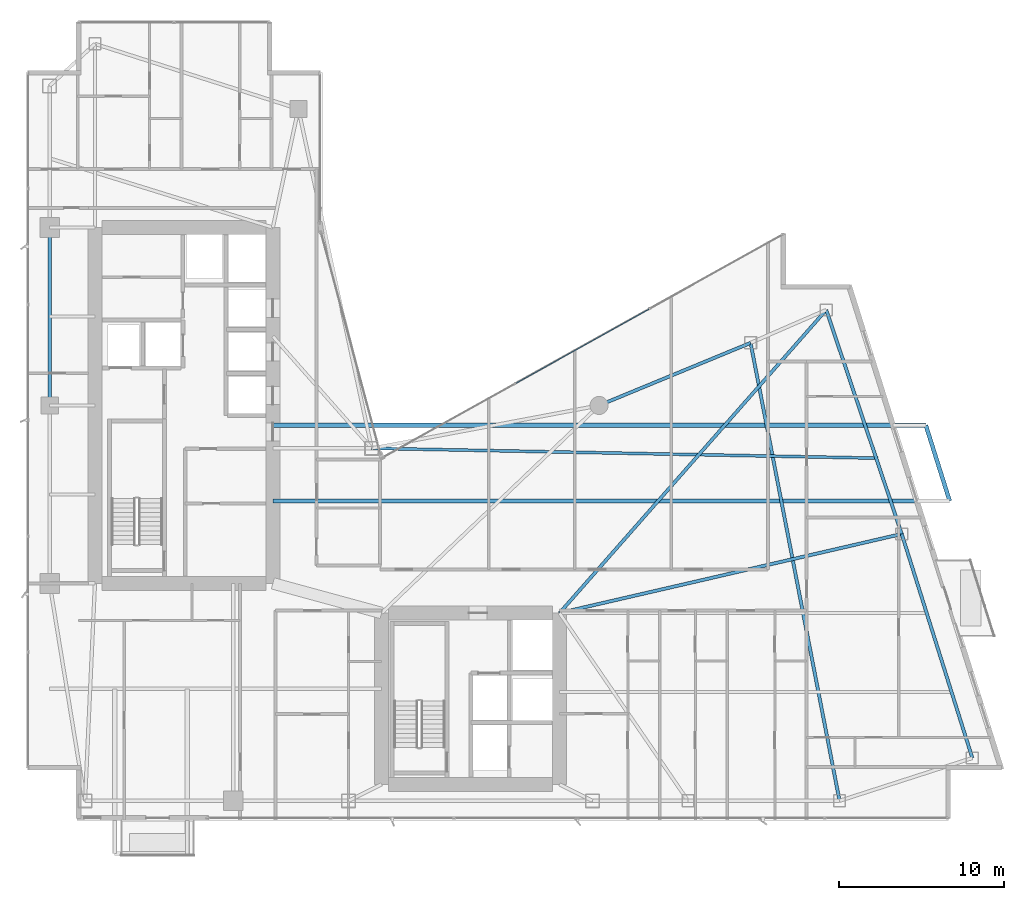
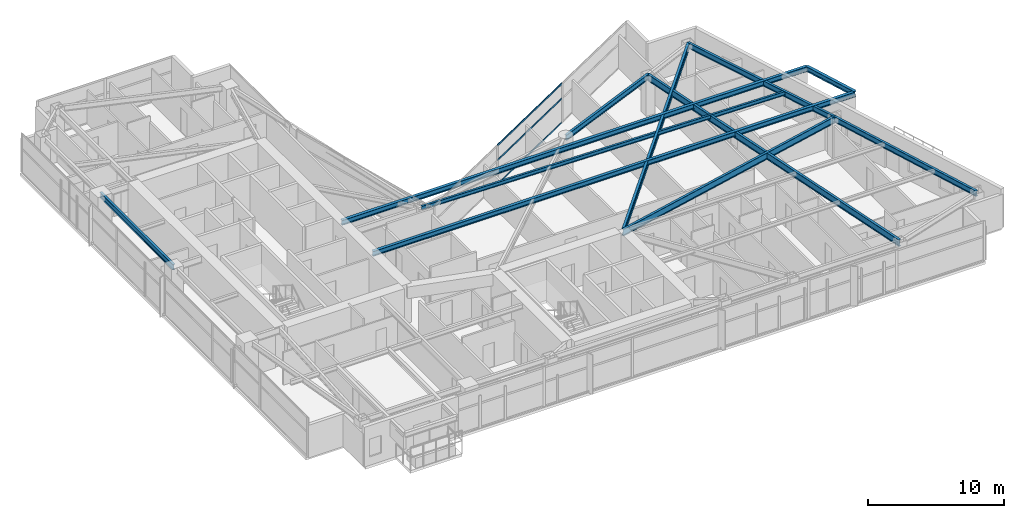
# One storey, part 15 of 28: 11 beams, 3 members, 1 element without a shape of its own.
"""IFC4 building model written with IfcOpenShell, lengths in metres."""

from ifc_helpers import new_model, si_unit, direction, frame, origin, origin_2d, place, context, subcontext, project, spatial, hollow_rectangle, i_section, extrude, material, layer, layer_set, material_profile, profile_set, type_object, element, aggregate, save


model = new_model("IFC4")

# Units and contexts
model_context = context("Model", 3, precision=1e-05, world=origin(), true_north=direction((0.0, 1.0)))
body_context = subcontext(model_context, "Body", "Model", "MODEL_VIEW")
ifc_project = project(units=[si_unit("LENGTHUNIT", "METRE"), si_unit("AREAUNIT", "SQUARE_METRE"), si_unit("VOLUMEUNIT", "CUBIC_METRE"), si_unit("PLANEANGLEUNIT", "RADIAN"), si_unit("MASSUNIT", "GRAM", prefix="KILO")], contexts=[model_context])

# Site, building, storey
site_placement = place(None, origin())
site = spatial("IfcSite", under=ifc_project, at=site_placement, CompositionType="ELEMENT")
building_placement = place(site_placement, origin())
building = spatial("IfcBuilding", under=site, at=building_placement, Name="Calvorn Quay Hotel", CompositionType="ELEMENT")
storey_placement = place(building_placement, frame((0.0, 0.0, 178.89990234375)))
storey = spatial("IfcBuildingStorey", under=building, at=storey_placement, Name="L44", CompositionType="ELEMENT", Elevation=178.89990234375)

# Beams
ifc_material_1 = material(Name="Steel Q355B", Category="steel")
ifc_material_profile_1 = material_profile(ifc_material_1, i_section(OverallWidth=0.25, OverallDepth=0.449951171875, WebThickness=0.011962890625, FlangeThickness=0.01611328125, FilletRadius=0.01611328125, at=origin_2d()), Name="HN450x250x12x16")
ifc_profile_set_1 = profile_set([ifc_material_profile_1], Name="Steel Q355B")
beam_type_1 = type_object("IfcBeamType", Name="BM-CANT-BALC", PredefinedType="BEAM", material=ifc_profile_set_1)
beam_1_placement = place(storey_placement, frame((15.0, 21.800048828125, 3.315185546875), z_axis=(1.0, 0.0, 0.0), x_axis=(0.0, 1.0, 0.0)))
element("IfcBeam", 1, at=beam_1_placement, inside=storey, type_object=beam_type_1, Name="Cantilever Balcony Beam BCB-L45-1A", PredefinedType="BEAM", context=body_context, shape_type="SweptSolid", body=[
    extrude(i_section(OverallWidth=0.25, OverallDepth=0.449951171875, WebThickness=0.011962890625, FlangeThickness=0.01611328125, FilletRadius=0.01611328125, at=origin_2d()), origin(), (0.0, 0.0, 1.0), 41.0859375),
])
beam_2_placement = place(storey_placement, frame((15.0, 26.39990234375, 3.315185546875), z_axis=(1.0, 0.0, 0.0), x_axis=(0.0, 1.0, 0.0)))
element("IfcBeam", 2, at=beam_2_placement, inside=storey, type_object=beam_type_1, Name="Cantilever Balcony Beam BCB-L45-1B", PredefinedType="BEAM", context=body_context, shape_type="SweptSolid", body=[
    extrude(i_section(OverallWidth=0.25, OverallDepth=0.449951171875, WebThickness=0.011962890625, FlangeThickness=0.01611328125, FilletRadius=0.01611328125, at=origin_2d()), origin(), (0.0, 0.0, 1.0), 39.636962890625),
])
beam_3_placement = place(storey_placement, frame((56.0859375, 21.800048828125, 3.315185546875), z_axis=(-0.300450487966, 0.953797412599, 0.0), x_axis=(-0.953797412599, -0.300450487966, 0.0)))
element("IfcBeam", 3, at=beam_3_placement, inside=storey, type_object=beam_type_1, Name="Beam BCBO-L45-1", PredefinedType="BEAM", context=body_context, shape_type="SweptSolid", body=[
    extrude(i_section(OverallWidth=0.25, OverallDepth=0.449951171875, WebThickness=0.011962890625, FlangeThickness=0.01611328125, FilletRadius=0.01611328125, at=origin_2d()), origin(), (0.0, 0.0, 1.0), 4.82275390625),
])
ifc_material_2 = material(Name="Steel Q355B", Category="steel")
ifc_material_profile_2 = material_profile(ifc_material_2, i_section(OverallWidth=0.199951171875, OverallDepth=0.60009765625, WebThickness=0.010986328125, FlangeThickness=0.01708984375, FilletRadius=0.01806640625, at=origin_2d()), Name="HN600x200x11x17")
ifc_profile_set_2 = profile_set([ifc_material_profile_2], Name="Steel Q355B")
beam_type_2 = type_object("IfcBeamType", Name="BM-GIRD-TYP", PredefinedType="BEAM", material=ifc_profile_set_2)
beam_4_placement = place(storey_placement, frame((32.39990234375, 15.0, 3.239990234375), z_axis=(0.974334045812, 0.225107012711, 0.0), x_axis=(-0.225107012711, 0.974334045812, 0.0)))
element("IfcBeam", 4, at=beam_4_placement, inside=storey, type_object=beam_type_2, Name="Beam BG-L44-E2", PredefinedType="BEAM", context=body_context, shape_type="SweptSolid", body=[
    extrude(i_section(OverallWidth=0.199951171875, OverallDepth=0.60009765625, WebThickness=0.010986328125, FlangeThickness=0.01708984375, FilletRadius=0.01806640625, at=origin_2d()), origin(), (0.0, 0.0, 1.0), 21.323486328125),
])
beam_5_placement = place(storey_placement, frame((32.39990234375, 15.0, 3.239990234375), z_axis=(0.660610604248, 0.750728732336, 0.0), x_axis=(-0.750728732336, 0.660610604248, 0.0)))
element("IfcBeam", 5, at=beam_5_placement, inside=storey, type_object=beam_type_2, Name="Beam BG-L44-E3", PredefinedType="BEAM", context=body_context, shape_type="SweptSolid", body=[
    extrude(i_section(OverallWidth=0.199951171875, OverallDepth=0.60009765625, WebThickness=0.010986328125, FlangeThickness=0.01708984375, FilletRadius=0.01806640625, at=origin_2d()), origin(), (0.0, 0.0, 1.0), 24.50927734375),
])
beam_6_placement = place(storey_placement, frame((49.39990234375, 3.60009765625, 3.239990234375), z_axis=(-0.190678596862, 0.981652521363, 0.0), x_axis=(-0.981652521363, -0.190678596862, 0.0)))
element("IfcBeam", 6, at=beam_6_placement, inside=storey, type_object=beam_type_2, Name="Beam BG-L44-E5", PredefinedType="BEAM", context=body_context, shape_type="SweptSolid", body=[
    extrude(i_section(OverallWidth=0.199951171875, OverallDepth=0.60009765625, WebThickness=0.010986328125, FlangeThickness=0.01708984375, FilletRadius=0.01806640625, at=origin_2d()), origin(), (0.0, 0.0, 1.0), 28.3193359375),
])
ifc_material_3 = material(Name="Steel Q355B", Category="steel")
ifc_material_profile_3 = material_profile(ifc_material_3, i_section(OverallWidth=0.175048828125, OverallDepth=0.35009765625, WebThickness=0.007080078125, FlangeThickness=0.010986328125, FilletRadius=0.013916015625, at=origin_2d()), Name="HN350x175x7x11")
ifc_profile_set_3 = profile_set([ifc_material_profile_3], Name="Steel Q355B")
beam_type_3 = type_object("IfcBeamType", Name="BM-JOIST-SEC", PredefinedType="JOIST", material=ifc_profile_set_3)
beam_7_placement = place(storey_placement, frame((21.0, 25.0, 3.364990234375), z_axis=(0.999809345134, -0.019526222968, 0.0), x_axis=(0.019526222968, 0.999809345134, 0.0)))
element("IfcBeam", 7, at=beam_7_placement, inside=storey, type_object=beam_type_3, Name="Beam BJ-L44-E3", PredefinedType="JOIST", context=body_context, shape_type="SweptSolid", body=[
    extrude(i_section(OverallWidth=0.175048828125, OverallDepth=0.35009765625, WebThickness=0.007080078125, FlangeThickness=0.010986328125, FilletRadius=0.013916015625, at=origin_2d()), origin(), (0.0, 0.0, 1.0), 30.73291015625),
])
ifc_material_4 = material(Name="Steel Q355B", Category="steel")
ifc_material_profile_4 = material_profile(ifc_material_4, i_section(OverallWidth=0.199951171875, OverallDepth=0.5, WebThickness=0.010009765625, FlangeThickness=0.01611328125, FilletRadius=0.01611328125, at=origin_2d()), Name="HN500x200x10x16")
ifc_profile_set_4 = profile_set([ifc_material_profile_4], Name="Steel Q355B")
beam_type_4 = type_object("IfcBeamType", Name="BM-SPANDREL-Z1", PredefinedType="SPANDREL", material=ifc_profile_set_4)
beam_8_placement = place(storey_placement, frame((1.449951171875, 27.60009765625, 3.2900390625), z_axis=(0.0, 1.0, 0.0), x_axis=(-1.0, 0.0, 0.0)))
element("IfcBeam", 8, at=beam_8_placement, inside=storey, type_object=beam_type_4, Name="Beam BSP-L44-W3", PredefinedType="SPANDREL", context=body_context, shape_type="SweptSolid", body=[
    extrude(i_section(OverallWidth=0.199951171875, OverallDepth=0.5, WebThickness=0.010009765625, FlangeThickness=0.01611328125, FilletRadius=0.01611328125, at=origin_2d()), origin(), (0.0, 0.0, 1.0), 10.7998046875),
])
beam_9_placement = place(storey_placement, frame((57.4609375, 6.199951171875, 3.2900390625), z_axis=(-0.300502802767, 0.953780931624, 0.0), x_axis=(-0.953780931624, -0.300502802767, 0.0)))
element("IfcBeam", 9, at=beam_9_placement, inside=storey, type_object=beam_type_4, Name="Beam BSP-L44-E1", PredefinedType="SPANDREL", context=body_context, shape_type="SweptSolid", body=[
    extrude(i_section(OverallWidth=0.199951171875, OverallDepth=0.5, WebThickness=0.010009765625, FlangeThickness=0.01611328125, FilletRadius=0.01611328125, at=origin_2d()), origin(), (0.0, 0.0, 1.0), 14.259033203125),
])
beam_10_placement = place(storey_placement, frame((53.176025390625, 19.800048828125, 3.2900390625), z_axis=(-0.319466515944, 0.947597564998, 0.0), x_axis=(-0.947597564998, -0.319466515944, 0.0)))
element("IfcBeam", 10, at=beam_10_placement, inside=storey, type_object=beam_type_4, Name="Beam BSP-L44-E2", PredefinedType="SPANDREL", context=body_context, shape_type="SweptSolid", body=[
    extrude(i_section(OverallWidth=0.199951171875, OverallDepth=0.5, WebThickness=0.010009765625, FlangeThickness=0.01611328125, FilletRadius=0.01611328125, at=origin_2d()), origin(), (0.0, 0.0, 1.0), 14.35205078125),
])
beam_11_placement = place(storey_placement, frame((44.0, 31.39990234375, 3.2900390625), z_axis=(-0.92426763497, -0.381745123017, 0.0), x_axis=(0.381745123017, -0.92426763497, 0.0)))
element("IfcBeam", 11, at=beam_11_placement, inside=storey, type_object=beam_type_4, Name="Beam BSP-L44-E4", PredefinedType="SPANDREL", context=body_context, shape_type="SweptSolid", body=[
    extrude(i_section(OverallWidth=0.199951171875, OverallDepth=0.5, WebThickness=0.010009765625, FlangeThickness=0.01611328125, FilletRadius=0.01611328125, at=origin_2d()), origin(), (0.0, 0.0, 1.0), 9.953857421875),
])

# Curtain wall, members
ifc_material_5 = material(Name="Pale Anodised Aluminium and Low-E Glass", Category="aluminium")
ifc_layer = layer(ifc_material_5, 0.219970703125)
ifc_layer_set = layer_set([ifc_layer], Name="CW-SYS-Z2")
curtain_wall_type = type_object("IfcCurtainWallType", Name="CW-SYS-Z2", PredefinedType="NOTDEFINED", material=ifc_layer_set)
curtain_wall_placement = place(storey_placement, origin())
curtain_wall = element("IfcCurtainWall", 12, at=curtain_wall_placement, inside=storey, type_object=curtain_wall_type, Name="Inner Court Curtain Wall L44-NE1", PredefinedType="NOTDEFINED")
ifc_material_6 = material(Name="Pale Anodised Aluminium 6063-T6", Category="aluminium")
ifc_material_profile_5 = material_profile(ifc_material_6, hollow_rectangle(XDim=0.06005859375, YDim=0.14990234375, WallThickness=0.00341796875, at=origin_2d()), Name="ALU-T150x60x3.5")
ifc_profile_set_5 = profile_set([ifc_material_profile_5], Name="Pale Anodised Aluminium 6063-T6")
member_type = type_object("IfcMemberType", Name="CW-SYS-Z2-TRN", PredefinedType="USERDEFINED", material=ifc_profile_set_5)
member_1_placement = place(storey_placement, frame((37.840576171875, 33.4521484375, 0.030029296875), z_axis=(-0.873483012802, -0.486854625474, 0.0), x_axis=(0.486854625474, -0.873483012802, 0.0)))
member_1 = element("IfcMember", 13, at=member_1_placement, type_object=member_type, Name="CW-L44-NE1 transom 2.1", ObjectType="TRANSOM", PredefinedType="USERDEFINED", context=body_context, shape_type="SweptSolid", body=[
    extrude(hollow_rectangle(XDim=0.06005859375, YDim=0.14990234375, WallThickness=0.00341796875, at=origin_2d()), origin(), (0.0, 0.0, 1.0), 9.25146484375),
])
member_2_placement = place(storey_placement, frame((37.840576171875, 33.4521484375, 2.2001953125), z_axis=(-0.873483012802, -0.486854625474, 0.0), x_axis=(0.486854625474, -0.873483012802, 0.0)))
member_2 = element("IfcMember", 14, at=member_2_placement, type_object=member_type, Name="CW-L44-NE1 transom 2.2", ObjectType="TRANSOM", PredefinedType="USERDEFINED", context=body_context, shape_type="SweptSolid", body=[
    extrude(hollow_rectangle(XDim=0.06005859375, YDim=0.14990234375, WallThickness=0.00341796875, at=origin_2d()), origin(), (0.0, 0.0, 1.0), 9.25146484375),
])
member_3_placement = place(storey_placement, frame((37.840576171875, 33.4521484375, 3.530029296875), z_axis=(-0.873483012802, -0.486854625474, 0.0), x_axis=(0.486854625474, -0.873483012802, 0.0)))
member_3 = element("IfcMember", 15, at=member_3_placement, type_object=member_type, Name="CW-L44-NE1 transom 2.3", ObjectType="TRANSOM", PredefinedType="USERDEFINED", context=body_context, shape_type="SweptSolid", body=[
    extrude(hollow_rectangle(XDim=0.06005859375, YDim=0.14990234375, WallThickness=0.00341796875, at=origin_2d()), origin(), (0.0, 0.0, 1.0), 9.25146484375),
])
aggregate(curtain_wall, [member_1, member_2, member_3])

save(model, "model.ifc")
